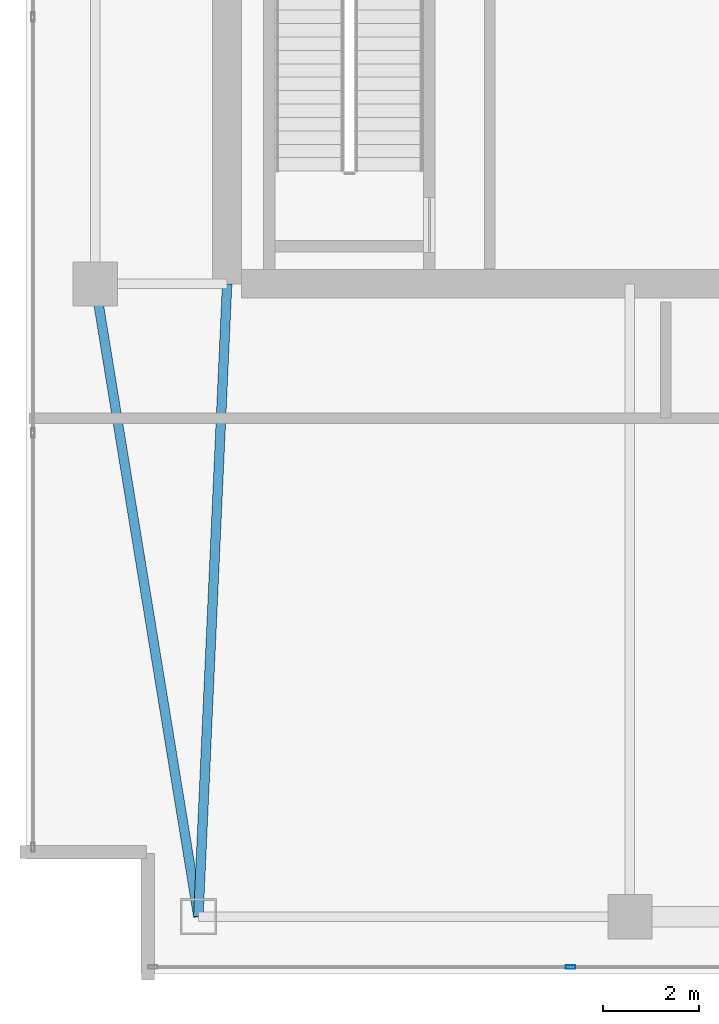
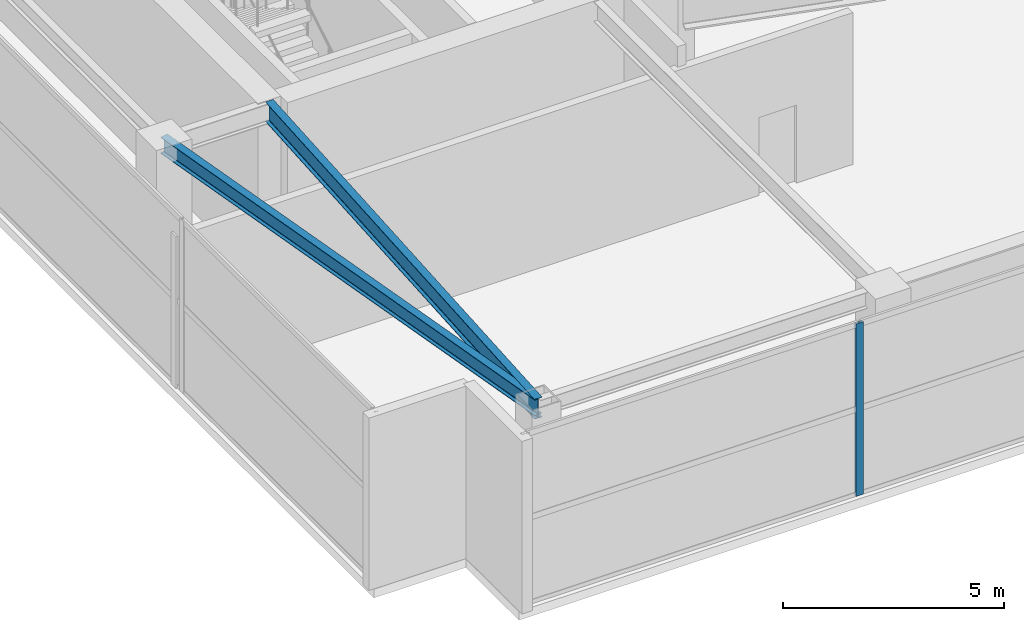
# One storey, part 4 of 22: 2 beams, 1 member, 1 element without a shape of its own.
"""IFC4 building model written with IfcOpenShell, lengths in metres."""

from ifc_helpers import new_model, si_unit, direction, frame, origin, origin_2d, place, context, subcontext, project, spatial, hollow_rectangle, i_section, extrude, material, layer, layer_set, material_profile, profile_set, type_object, element, aggregate, save


model = new_model("IFC4")

# Units and contexts
model_context = context("Model", 3, precision=1e-05, world=origin(), true_north=direction((0.0, 1.0)))
body_context = subcontext(model_context, "Body", "Model", "MODEL_VIEW")
ifc_project = project(units=[si_unit("LENGTHUNIT", "METRE"), si_unit("AREAUNIT", "SQUARE_METRE"), si_unit("VOLUMEUNIT", "CUBIC_METRE"), si_unit("PLANEANGLEUNIT", "RADIAN"), si_unit("MASSUNIT", "GRAM", prefix="KILO")], contexts=[model_context])

# Site, building, storey
site_placement = place(None, origin())
site = spatial("IfcSite", under=ifc_project, at=site_placement, CompositionType="ELEMENT")
building_placement = place(site_placement, origin())
building = spatial("IfcBuilding", under=site, at=building_placement, Name="Calvorn Quay Hotel", CompositionType="ELEMENT")
storey_placement = place(building_placement, frame((0.0, 0.0, 325.5)))
storey = spatial("IfcBuildingStorey", under=building, at=storey_placement, Name="L80", CompositionType="ELEMENT", Elevation=325.5)

# Beams
ifc_material_1 = material(Name="Steel Q355B", Category="steel")
ifc_material_profile_1 = material_profile(ifc_material_1, i_section(OverallWidth=0.199951171875, OverallDepth=0.550048828125, WebThickness=0.010009765625, FlangeThickness=0.01611328125, FilletRadius=0.01806640625, at=origin_2d()), Name="HN550x200x10x16")
ifc_profile_set_1 = profile_set([ifc_material_profile_1], Name="Steel Q355B")
beam_type_1 = type_object("IfcBeamType", Name="BM-GIRD-UPP", PredefinedType="BEAM", material=ifc_profile_set_1)
beam_1_placement = place(storey_placement, frame((3.60009765625, 3.60009765625, 4.465087890625), z_axis=(0.045396765494, 0.998969035397, 0.0), x_axis=(-0.998969035397, 0.045396765494, 0.0)))
element("IfcBeam", 1, at=beam_1_placement, inside=storey, type_object=beam_type_1, Name="Beam BG-L80-W0", PredefinedType="BEAM", context=body_context, shape_type="SweptSolid", body=[
    extrude(i_section(OverallWidth=0.199951171875, OverallDepth=0.550048828125, WebThickness=0.010009765625, FlangeThickness=0.01611328125, FilletRadius=0.01806640625, at=origin_2d()), origin(), (0.0, 0.0, 1.0), 13.213623046875),
])
ifc_material_2 = material(Name="Steel Q355B", Category="steel")
ifc_material_profile_2 = material_profile(ifc_material_2, i_section(OverallWidth=0.199951171875, OverallDepth=0.449951171875, WebThickness=0.009033203125, FlangeThickness=0.013916015625, FilletRadius=0.01611328125, at=origin_2d()), Name="HN450x200x9x14")
ifc_profile_set_2 = profile_set([ifc_material_profile_2], Name="Steel Q355B")
beam_type_2 = type_object("IfcBeamType", Name="BM-SPANDREL-Z3", PredefinedType="SPANDREL", material=ifc_profile_set_2)
beam_2_placement = place(storey_placement, frame((3.60009765625, 3.60009765625, 4.514892578125), z_axis=(-0.16077155054, 0.986991645627, 0.0), x_axis=(-0.986991645627, -0.16077155054, 0.0)))
element("IfcBeam", 2, at=beam_2_placement, inside=storey, type_object=beam_type_2, Name="Beam BSP-L80-W1", PredefinedType="SPANDREL", context=body_context, shape_type="SweptSolid", body=[
    extrude(i_section(OverallWidth=0.199951171875, OverallDepth=0.449951171875, WebThickness=0.009033203125, FlangeThickness=0.013916015625, FilletRadius=0.01611328125, at=origin_2d()), origin(), (0.0, 0.0, 1.0), 13.3740234375),
])

# Curtain wall, member
ifc_material_3 = material(Name="Pale Anodised Aluminium and Laminated Glass", Category="aluminium")
ifc_layer = layer(ifc_material_3, 0.219970703125)
ifc_layer_set = layer_set([ifc_layer], Name="CW-SYS-CRN")
curtain_wall_type = type_object("IfcCurtainWallType", Name="CW-SYS-CRN", PredefinedType="NOTDEFINED", material=ifc_layer_set)
curtain_wall_placement = place(storey_placement, origin())
curtain_wall = element("IfcCurtainWall", 3, at=curtain_wall_placement, inside=storey, type_object=curtain_wall_type, Name="Crown Curtain Wall L80-C1", PredefinedType="NOTDEFINED")
ifc_material_4 = material(Name="Pale Anodised Aluminium 6063-T6", Category="aluminium")
ifc_material_profile_3 = material_profile(ifc_material_4, hollow_rectangle(XDim=0.072021484375, YDim=0.195068359375, WallThickness=0.00390625, at=origin_2d()), Name="ALU-M195x72x4")
ifc_profile_set_3 = profile_set([ifc_material_profile_3], Name="Pale Anodised Aluminium 6063-T6")
member_type = type_object("IfcMemberType", Name="CW-SYS-CRN-MUL", PredefinedType="MULLION", material=ifc_profile_set_3)
member_placement = place(storey_placement, frame((11.3623046875, 2.550048828125, 0.0), z_axis=(0.0, 0.0, 1.0), x_axis=(0.0, 1.0, 0.0)))
member = element("IfcMember", 4, at=member_placement, type_object=member_type, Name="CW-L80-C1 mullion 2", PredefinedType="MULLION", context=body_context, shape_type="SweptSolid", body=[
    extrude(hollow_rectangle(XDim=0.072021484375, YDim=0.195068359375, WallThickness=0.00390625, at=origin_2d()), origin(), (0.0, 0.0, 1.0), 4.760009765625),
])
aggregate(curtain_wall, [member])

save(model, "model.ifc")
